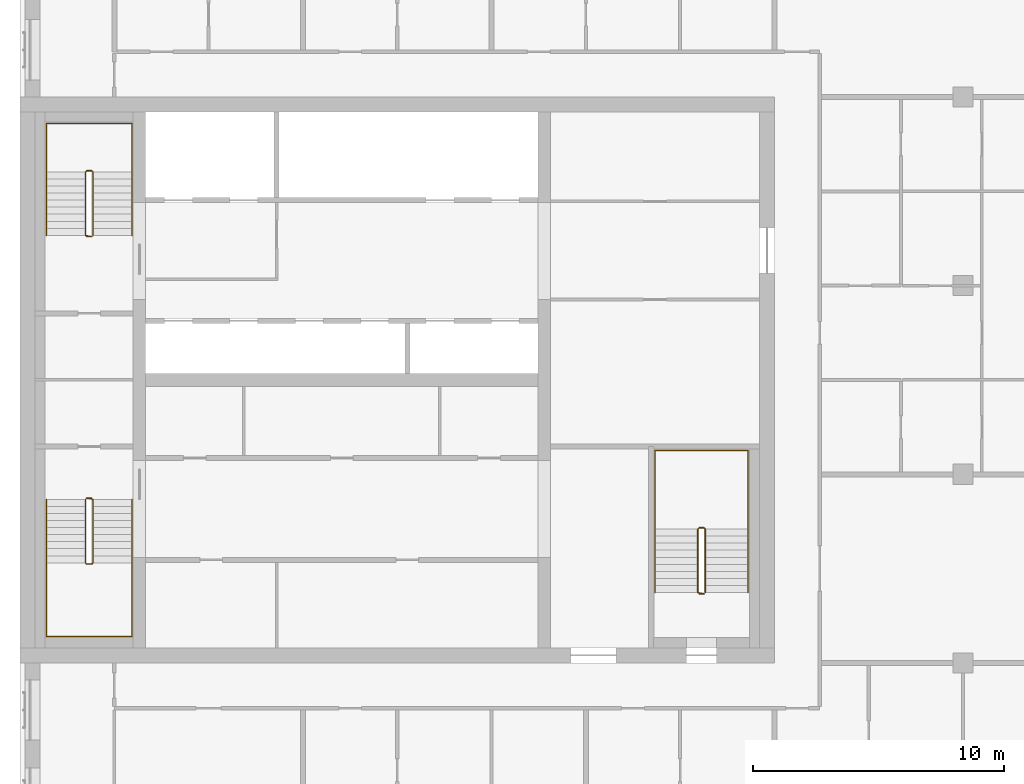
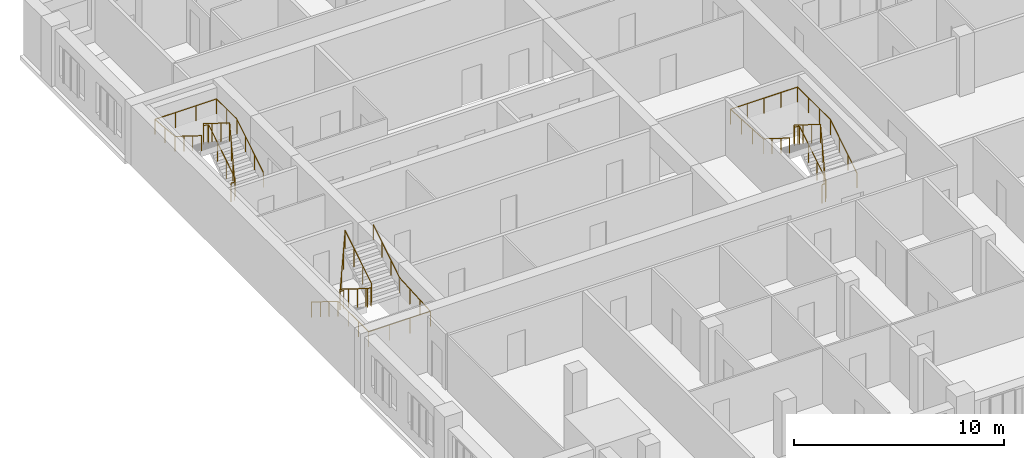
# One storey, part 11 of 11: 6 railings.
"""IFC4 building model written with IfcOpenShell, lengths in metres."""

from ifc_helpers import new_model, si_unit, direction, frame, origin, origin_2d, place, context, subcontext, project, spatial, circle, extrude, material, type_object, element, save


model = new_model("IFC4")

# Units and contexts
model_context = context("Model", 3, precision=1e-05, world=origin(), true_north=direction((0.0, 1.0)))
body_context = subcontext(model_context, "Body", "Model", "MODEL_VIEW")
ifc_project = project(units=[si_unit("LENGTHUNIT", "METRE"), si_unit("AREAUNIT", "SQUARE_METRE"), si_unit("VOLUMEUNIT", "CUBIC_METRE"), si_unit("PLANEANGLEUNIT", "RADIAN"), si_unit("MASSUNIT", "GRAM", prefix="KILO")], contexts=[model_context])

# Site, building, storey
site_placement = place(None, origin())
site = spatial("IfcSite", under=ifc_project, at=site_placement, CompositionType="ELEMENT")
building_placement = place(site_placement, origin())
building = spatial("IfcBuilding", under=site, at=building_placement, Name="Tamorin Gate", CompositionType="ELEMENT")
storey_placement = place(building_placement, frame((0.0, 0.0, 247.699951171875)))
storey = spatial("IfcBuildingStorey", under=building, at=storey_placement, Name="L62", CompositionType="ELEMENT", Elevation=247.699951171875)

# Railings
ifc_material_1 = material(Name="Painted steel balustrade", Category="steel")
railing_type_1 = type_object("IfcRailingType", Name="Stair guard 1100", PredefinedType="GUARDRAIL", material=ifc_material_1)
railing_1_placement = place(storey_placement, frame((32.60009765625, 66.5, 0.175048828125)))
element("IfcRailing", 1, at=railing_1_placement, inside=storey, type_object=railing_type_1, Name="L62 ST1 stair guard 1", PredefinedType="GUARDRAIL", context=body_context, shape_type="SweptSolid", body=[
    extrude(circle(Radius=0.02392578125, at=origin_2d()), frame((0.0, 0.0, 1.076171875), z_axis=(0.0, -0.848007534815, 0.529984170421), x_axis=(1.0, 0.0, 0.0)), (0.0, 0.0, 1.0), 2.9716796875),
    extrude(circle(Radius=0.02392578125, at=origin_2d()), frame((0.0, -2.52001953125, 2.65087890625), z_axis=(0.705375805398, -0.708833529934, 0.0), x_axis=(0.708833529934, 0.705375805398, 0.0)), (0.0, 0.0, 1.0), 0.070556640625),
    extrude(circle(Radius=0.02392578125, at=origin_2d()), frame((0.0498046875, -2.570068359375, 2.65087890625), z_axis=(1.0, 0.0, 0.0), x_axis=(0.0, 1.0, 0.0)), (0.0, 0.0, 1.0), 0.2001953125),
    extrude(circle(Radius=0.02392578125, at=origin_2d()), frame((0.25, -2.570068359375, 2.65087890625), z_axis=(0.263862480399, 0.265155923931, 0.927399011991), x_axis=(-0.708833529934, 0.705375805398, 0.0)), (0.0, 0.0, 1.0), 0.188720703125),
    extrude(circle(Radius=0.02392578125, at=origin_2d()), frame((0.2998046875, -2.52001953125, 2.826171875), z_axis=(0.0, 0.848007534815, 0.529984170421), x_axis=(-1.0, 0.0, 0.0)), (0.0, 0.0, 1.0), 2.9716796875),
    extrude(circle(Radius=0.02392578125, at=origin_2d()), frame((0.2998046875, 0.0, 4.40087890625), z_axis=(-0.071239803756, 0.014261874775, -0.997357252587), x_axis=(-0.196300278283, -0.98054382908, 0.0)), (0.0, 0.0, 1.0), 3.50927734375),
    extrude(circle(Radius=0.02392578125, at=origin_2d()), frame((0.0498046875, 0.050048828125, 0.90087890625), z_axis=(1.0, 0.0, 0.0), x_axis=(0.0, 1.0, 0.0)), (0.0, 0.0, 1.0), 0.2001953125),
    extrude(circle(Radius=0.02099609375, at=origin_2d()), origin(), (0.0, 0.0, 1.0), 1.052001953125),
    extrude(circle(Radius=0.02099609375, at=origin_2d()), frame((0.0, -0.840087890625, 0.52490234375)), (0.0, 0.0, 1.0), 1.052001953125),
    extrude(circle(Radius=0.02099609375, at=origin_2d()), frame((0.0, -1.679931640625, 1.050048828125)), (0.0, 0.0, 1.0), 1.052001953125),
    extrude(circle(Radius=0.02099609375, at=origin_2d()), frame((0.0, -2.52001953125, 1.574951171875)), (0.0, 0.0, 1.0), 1.052001953125),
    extrude(circle(Radius=0.02099609375, at=origin_2d()), frame((0.0498046875, -2.570068359375, 1.574951171875)), (0.0, 0.0, 1.0), 1.052001953125),
    extrude(circle(Radius=0.02099609375, at=origin_2d()), frame((0.25, -2.570068359375, 1.574951171875)), (0.0, 0.0, 1.0), 1.052001953125),
    extrude(circle(Radius=0.02099609375, at=origin_2d()), frame((0.2998046875, -2.52001953125, 1.75)), (0.0, 0.0, 1.0), 1.052001953125),
    extrude(circle(Radius=0.02099609375, at=origin_2d()), frame((0.2998046875, -1.679931640625, 2.27490234375)), (0.0, 0.0, 1.0), 1.052001953125),
    extrude(circle(Radius=0.02099609375, at=origin_2d()), frame((0.2998046875, -0.840087890625, 2.800048828125)), (0.0, 0.0, 1.0), 1.052001953125),
    extrude(circle(Radius=0.02099609375, at=origin_2d()), frame((0.2998046875, 0.0, 3.324951171875)), (0.0, 0.0, 1.0), 1.052001953125),
    extrude(circle(Radius=0.02099609375, at=origin_2d()), frame((0.216552734375, 0.0166015625, 2.158203125)), (0.0, 0.0, 1.0), 1.052001953125),
    extrude(circle(Radius=0.02099609375, at=origin_2d()), frame((0.133056640625, 0.033447265625, 0.99169921875)), (0.0, 0.0, 1.0), 1.052001953125),
    extrude(circle(Radius=0.02099609375, at=origin_2d()), frame((0.0498046875, 0.050048828125, -0.175048828125)), (0.0, 0.0, 1.0), 1.052001953125),
    extrude(circle(Radius=0.02099609375, at=origin_2d()), frame((0.25, 0.050048828125, -0.175048828125)), (0.0, 0.0, 1.0), 1.052001953125),
])
railing_2_placement = place(storey_placement, frame((32.89990234375, 77.0, 0.175048828125)))
element("IfcRailing", 2, at=railing_2_placement, inside=storey, type_object=railing_type_1, Name="L62 ST2 stair guard 1", PredefinedType="GUARDRAIL", context=body_context, shape_type="SweptSolid", body=[
    extrude(circle(Radius=0.02392578125, at=origin_2d()), frame((0.0, 0.0, 1.076171875), z_axis=(0.0, 0.848007534815, 0.529984170421), x_axis=(-1.0, 0.0, 0.0)), (0.0, 0.0, 1.0), 2.9716796875),
    extrude(circle(Radius=0.02392578125, at=origin_2d()), frame((0.0, 2.52001953125, 2.65087890625), z_axis=(-0.705375805398, 0.708833529934, 0.0), x_axis=(-0.708833529934, -0.705375805398, 0.0)), (0.0, 0.0, 1.0), 0.070556640625),
    extrude(circle(Radius=0.02392578125, at=origin_2d()), frame((-0.0498046875, 2.570068359375, 2.65087890625), z_axis=(-1.0, 0.0, 0.0), x_axis=(0.0, -1.0, 0.0)), (0.0, 0.0, 1.0), 0.2001953125),
    extrude(circle(Radius=0.02392578125, at=origin_2d()), frame((-0.25, 2.570068359375, 2.65087890625), z_axis=(-0.263862480399, -0.265155923931, 0.927399011991), x_axis=(0.708833529934, -0.705375805398, 0.0)), (0.0, 0.0, 1.0), 0.188720703125),
    extrude(circle(Radius=0.02392578125, at=origin_2d()), frame((-0.2998046875, 2.52001953125, 2.826171875), z_axis=(0.0, -0.848007534815, 0.529984170421), x_axis=(1.0, 0.0, 0.0)), (0.0, 0.0, 1.0), 2.9716796875),
    extrude(circle(Radius=0.02392578125, at=origin_2d()), frame((-0.2998046875, 0.0, 4.40087890625), z_axis=(0.071239803756, -0.014261874775, -0.997357252587), x_axis=(0.196300278283, 0.98054382908, 0.0)), (0.0, 0.0, 1.0), 3.50927734375),
    extrude(circle(Radius=0.02392578125, at=origin_2d()), frame((-0.0498046875, -0.050048828125, 0.90087890625), z_axis=(-1.0, 0.0, 0.0), x_axis=(0.0, -1.0, 0.0)), (0.0, 0.0, 1.0), 0.2001953125),
    extrude(circle(Radius=0.02099609375, at=origin_2d()), origin(), (0.0, 0.0, 1.0), 1.052001953125),
    extrude(circle(Radius=0.02099609375, at=origin_2d()), frame((0.0, 0.840087890625, 0.52490234375)), (0.0, 0.0, 1.0), 1.052001953125),
    extrude(circle(Radius=0.02099609375, at=origin_2d()), frame((0.0, 1.679931640625, 1.050048828125)), (0.0, 0.0, 1.0), 1.052001953125),
    extrude(circle(Radius=0.02099609375, at=origin_2d()), frame((0.0, 2.52001953125, 1.574951171875)), (0.0, 0.0, 1.0), 1.052001953125),
    extrude(circle(Radius=0.02099609375, at=origin_2d()), frame((-0.0498046875, 2.570068359375, 1.574951171875)), (0.0, 0.0, 1.0), 1.052001953125),
    extrude(circle(Radius=0.02099609375, at=origin_2d()), frame((-0.25, 2.570068359375, 1.574951171875)), (0.0, 0.0, 1.0), 1.052001953125),
    extrude(circle(Radius=0.02099609375, at=origin_2d()), frame((-0.2998046875, 2.52001953125, 1.75)), (0.0, 0.0, 1.0), 1.052001953125),
    extrude(circle(Radius=0.02099609375, at=origin_2d()), frame((-0.2998046875, 1.679931640625, 2.27490234375)), (0.0, 0.0, 1.0), 1.052001953125),
    extrude(circle(Radius=0.02099609375, at=origin_2d()), frame((-0.2998046875, 0.840087890625, 2.800048828125)), (0.0, 0.0, 1.0), 1.052001953125),
    extrude(circle(Radius=0.02099609375, at=origin_2d()), frame((-0.2998046875, 0.0, 3.324951171875)), (0.0, 0.0, 1.0), 1.052001953125),
    extrude(circle(Radius=0.02099609375, at=origin_2d()), frame((-0.216552734375, -0.0166015625, 2.158203125)), (0.0, 0.0, 1.0), 1.052001953125),
    extrude(circle(Radius=0.02099609375, at=origin_2d()), frame((-0.133056640625, -0.033447265625, 0.99169921875)), (0.0, 0.0, 1.0), 1.052001953125),
    extrude(circle(Radius=0.02099609375, at=origin_2d()), frame((-0.0498046875, -0.050048828125, -0.175048828125)), (0.0, 0.0, 1.0), 1.052001953125),
    extrude(circle(Radius=0.02099609375, at=origin_2d()), frame((-0.25, -0.050048828125, -0.175048828125)), (0.0, 0.0, 1.0), 1.052001953125),
])
railing_3_placement = place(storey_placement, frame((57.25, 62.800048828125, 0.175048828125)))
element("IfcRailing", 3, at=railing_3_placement, inside=storey, type_object=railing_type_1, Name="L62 ST3 stair guard 1", PredefinedType="GUARDRAIL", context=body_context, shape_type="SweptSolid", body=[
    extrude(circle(Radius=0.02392578125, at=origin_2d()), frame((0.0, 0.0, 1.076171875), z_axis=(0.0, 0.848007534815, 0.529984170421), x_axis=(-1.0, 0.0, 0.0)), (0.0, 0.0, 1.0), 2.9716796875),
    extrude(circle(Radius=0.02392578125, at=origin_2d()), frame((0.0, 2.52001953125, 2.65087890625), z_axis=(-0.707106781187, 0.707106781187, 0.0), x_axis=(-0.707106781187, -0.707106781187, 0.0)), (0.0, 0.0, 1.0), 0.07080078125),
    extrude(circle(Radius=0.02392578125, at=origin_2d()), frame((-0.050048828125, 2.570068359375, 2.65087890625), z_axis=(-1.0, 0.0, 0.0), x_axis=(0.0, -1.0, 0.0)), (0.0, 0.0, 1.0), 0.199951171875),
    extrude(circle(Radius=0.02392578125, at=origin_2d()), frame((-0.25, 2.570068359375, 2.65087890625), z_axis=(-0.265065253269, -0.265065253269, 0.927081885822), x_axis=(0.707106781187, -0.707106781187, 0.0)), (0.0, 0.0, 1.0), 0.188720703125),
    extrude(circle(Radius=0.02392578125, at=origin_2d()), frame((-0.300048828125, 2.52001953125, 2.826171875), z_axis=(0.0, -0.848007534815, 0.529984170421), x_axis=(1.0, 0.0, 0.0)), (0.0, 0.0, 1.0), 2.9716796875),
    extrude(circle(Radius=0.02392578125, at=origin_2d()), frame((-0.300048828125, 0.0, 4.40087890625), z_axis=(0.071239803756, -0.014261874775, -0.997357252587), x_axis=(0.196300278283, 0.98054382908, 0.0)), (0.0, 0.0, 1.0), 3.50927734375),
    extrude(circle(Radius=0.02392578125, at=origin_2d()), frame((-0.050048828125, -0.050048828125, 0.90087890625), z_axis=(-1.0, 0.0, 0.0), x_axis=(0.0, -1.0, 0.0)), (0.0, 0.0, 1.0), 0.199951171875),
    extrude(circle(Radius=0.02099609375, at=origin_2d()), origin(), (0.0, 0.0, 1.0), 1.052001953125),
    extrude(circle(Radius=0.02099609375, at=origin_2d()), frame((0.0, 0.840087890625, 0.52490234375)), (0.0, 0.0, 1.0), 1.052001953125),
    extrude(circle(Radius=0.02099609375, at=origin_2d()), frame((0.0, 1.679931640625, 1.050048828125)), (0.0, 0.0, 1.0), 1.052001953125),
    extrude(circle(Radius=0.02099609375, at=origin_2d()), frame((0.0, 2.52001953125, 1.574951171875)), (0.0, 0.0, 1.0), 1.052001953125),
    extrude(circle(Radius=0.02099609375, at=origin_2d()), frame((-0.050048828125, 2.570068359375, 1.574951171875)), (0.0, 0.0, 1.0), 1.052001953125),
    extrude(circle(Radius=0.02099609375, at=origin_2d()), frame((-0.25, 2.570068359375, 1.574951171875)), (0.0, 0.0, 1.0), 1.052001953125),
    extrude(circle(Radius=0.02099609375, at=origin_2d()), frame((-0.300048828125, 2.52001953125, 1.75)), (0.0, 0.0, 1.0), 1.052001953125),
    extrude(circle(Radius=0.02099609375, at=origin_2d()), frame((-0.300048828125, 1.679931640625, 2.27490234375)), (0.0, 0.0, 1.0), 1.052001953125),
    extrude(circle(Radius=0.02099609375, at=origin_2d()), frame((-0.300048828125, 0.840087890625, 2.800048828125)), (0.0, 0.0, 1.0), 1.052001953125),
    extrude(circle(Radius=0.02099609375, at=origin_2d()), frame((-0.300048828125, 0.0, 3.324951171875)), (0.0, 0.0, 1.0), 1.052001953125),
    extrude(circle(Radius=0.02099609375, at=origin_2d()), frame((-0.216796875, -0.0166015625, 2.158203125)), (0.0, 0.0, 1.0), 1.052001953125),
    extrude(circle(Radius=0.02099609375, at=origin_2d()), frame((-0.13330078125, -0.033447265625, 0.99169921875)), (0.0, 0.0, 1.0), 1.052001953125),
    extrude(circle(Radius=0.02099609375, at=origin_2d()), frame((-0.050048828125, -0.050048828125, -0.175048828125)), (0.0, 0.0, 1.0), 1.052001953125),
    extrude(circle(Radius=0.02099609375, at=origin_2d()), frame((-0.25, -0.050048828125, -0.175048828125)), (0.0, 0.0, 1.0), 1.052001953125),
])
ifc_material_2 = material(Name="Painted steel handrail", Category="steel")
railing_type_2 = type_object("IfcRailingType", Name="Stair handrail 900", PredefinedType="HANDRAIL", material=ifc_material_2)
railing_4_placement = place(storey_placement, frame((31.050048828125, 66.5, 0.175048828125)))
element("IfcRailing", 4, at=railing_4_placement, inside=storey, type_object=railing_type_2, Name="L62 ST1 stair handrail 1", PredefinedType="HANDRAIL", context=body_context, shape_type="SweptSolid", body=[
    extrude(circle(Radius=0.02392578125, at=origin_2d()), frame((0.0, 0.0, 0.8759765625), z_axis=(0.0, -0.848007534815, 0.529984170421), x_axis=(1.0, 0.0, 0.0)), (0.0, 0.0, 1.0), 2.9716796875),
    extrude(circle(Radius=0.02392578125, at=origin_2d()), frame((0.0, -2.52001953125, 2.45068359375), z_axis=(0.0, -1.0, 0.0), x_axis=(1.0, 0.0, 0.0)), (0.0, 0.0, 1.0), 2.929931640625),
    extrude(circle(Radius=0.02392578125, at=origin_2d()), frame((0.0, -5.449951171875, 2.45068359375), z_axis=(1.0, 0.0, 0.0), x_axis=(0.0, 1.0, 0.0)), (0.0, 0.0, 1.0), 3.39990234375),
    extrude(circle(Radius=0.02392578125, at=origin_2d()), frame((3.39990234375, -5.449951171875, 2.45068359375), z_axis=(0.0, 0.998220029962, 0.0596386769), x_axis=(-1.0, 0.0, 0.0)), (0.0, 0.0, 1.0), 2.93505859375),
    extrude(circle(Radius=0.02392578125, at=origin_2d()), frame((3.39990234375, -2.52001953125, 2.6259765625), z_axis=(0.0, 0.848007534815, 0.529984170421), x_axis=(-1.0, 0.0, 0.0)), (0.0, 0.0, 1.0), 2.9716796875),
    extrude(circle(Radius=0.02099609375, at=origin_2d()), origin(), (0.0, 0.0, 1.0), 0.851806640625),
    extrude(circle(Radius=0.02099609375, at=origin_2d()), frame((0.0, -0.840087890625, 0.52490234375)), (0.0, 0.0, 1.0), 0.851806640625),
    extrude(circle(Radius=0.02099609375, at=origin_2d()), frame((0.0, -1.679931640625, 1.050048828125)), (0.0, 0.0, 1.0), 0.851806640625),
    extrude(circle(Radius=0.02099609375, at=origin_2d()), frame((0.0, -2.52001953125, 1.574951171875)), (0.0, 0.0, 1.0), 0.851806640625),
    extrude(circle(Radius=0.02099609375, at=origin_2d()), frame((0.0, -3.49658203125, 1.574951171875)), (0.0, 0.0, 1.0), 0.851806640625),
    extrude(circle(Radius=0.02099609375, at=origin_2d()), frame((0.0, -4.473388671875, 1.574951171875)), (0.0, 0.0, 1.0), 0.851806640625),
    extrude(circle(Radius=0.02099609375, at=origin_2d()), frame((0.0, -5.449951171875, 1.574951171875)), (0.0, 0.0, 1.0), 0.851806640625),
    extrude(circle(Radius=0.02099609375, at=origin_2d()), frame((1.13330078125, -5.449951171875, 1.574951171875)), (0.0, 0.0, 1.0), 0.851806640625),
    extrude(circle(Radius=0.02099609375, at=origin_2d()), frame((2.2666015625, -5.449951171875, 1.574951171875)), (0.0, 0.0, 1.0), 0.851806640625),
    extrude(circle(Radius=0.02099609375, at=origin_2d()), frame((3.39990234375, -5.449951171875, 1.574951171875)), (0.0, 0.0, 1.0), 0.851806640625),
    extrude(circle(Radius=0.02099609375, at=origin_2d()), frame((3.39990234375, -4.473388671875, 1.63330078125)), (0.0, 0.0, 1.0), 0.851806640625),
    extrude(circle(Radius=0.02099609375, at=origin_2d()), frame((3.39990234375, -3.49658203125, 1.691650390625)), (0.0, 0.0, 1.0), 0.851806640625),
    extrude(circle(Radius=0.02099609375, at=origin_2d()), frame((3.39990234375, -2.52001953125, 1.75)), (0.0, 0.0, 1.0), 0.851806640625),
    extrude(circle(Radius=0.02099609375, at=origin_2d()), frame((3.39990234375, -1.679931640625, 2.27490234375)), (0.0, 0.0, 1.0), 0.851806640625),
    extrude(circle(Radius=0.02099609375, at=origin_2d()), frame((3.39990234375, -0.840087890625, 2.800048828125)), (0.0, 0.0, 1.0), 0.851806640625),
    extrude(circle(Radius=0.02099609375, at=origin_2d()), frame((3.39990234375, 0.0, 3.324951171875)), (0.0, 0.0, 1.0), 0.851806640625),
])
railing_5_placement = place(storey_placement, frame((34.449951171875, 77.0, 0.175048828125)))
element("IfcRailing", 5, at=railing_5_placement, inside=storey, type_object=railing_type_2, Name="L62 ST2 stair handrail 1", PredefinedType="HANDRAIL", context=body_context, shape_type="SweptSolid", body=[
    extrude(circle(Radius=0.02392578125, at=origin_2d()), frame((0.0, 0.0, 0.8759765625), z_axis=(0.0, 0.848007534815, 0.529984170421), x_axis=(-1.0, 0.0, 0.0)), (0.0, 0.0, 1.0), 2.9716796875),
    extrude(circle(Radius=0.02392578125, at=origin_2d()), frame((0.0, 2.52001953125, 2.45068359375), z_axis=(0.0, 1.0, 0.0), x_axis=(-1.0, 0.0, 0.0)), (0.0, 0.0, 1.0), 1.929931640625),
    extrude(circle(Radius=0.02392578125, at=origin_2d()), frame((0.0, 4.449951171875, 2.45068359375), z_axis=(-1.0, 0.0, 0.0), x_axis=(0.0, -1.0, 0.0)), (0.0, 0.0, 1.0), 3.39990234375),
    extrude(circle(Radius=0.02392578125, at=origin_2d()), frame((-3.39990234375, 4.449951171875, 2.45068359375), z_axis=(0.0, -0.995911773435, 0.090331276604), x_axis=(1.0, 0.0, 0.0)), (0.0, 0.0, 1.0), 1.937744140625),
    extrude(circle(Radius=0.02392578125, at=origin_2d()), frame((-3.39990234375, 2.52001953125, 2.6259765625), z_axis=(0.0, -0.848007534815, 0.529984170421), x_axis=(1.0, 0.0, 0.0)), (0.0, 0.0, 1.0), 2.9716796875),
    extrude(circle(Radius=0.02099609375, at=origin_2d()), origin(), (0.0, 0.0, 1.0), 0.851806640625),
    extrude(circle(Radius=0.02099609375, at=origin_2d()), frame((0.0, 0.840087890625, 0.52490234375)), (0.0, 0.0, 1.0), 0.851806640625),
    extrude(circle(Radius=0.02099609375, at=origin_2d()), frame((0.0, 1.679931640625, 1.050048828125)), (0.0, 0.0, 1.0), 0.851806640625),
    extrude(circle(Radius=0.02099609375, at=origin_2d()), frame((0.0, 2.52001953125, 1.574951171875)), (0.0, 0.0, 1.0), 0.851806640625),
    extrude(circle(Radius=0.02099609375, at=origin_2d()), frame((0.0, 3.48486328125, 1.574951171875)), (0.0, 0.0, 1.0), 0.851806640625),
    extrude(circle(Radius=0.02099609375, at=origin_2d()), frame((0.0, 4.449951171875, 1.574951171875)), (0.0, 0.0, 1.0), 0.851806640625),
    extrude(circle(Radius=0.02099609375, at=origin_2d()), frame((-1.13330078125, 4.449951171875, 1.574951171875)), (0.0, 0.0, 1.0), 0.851806640625),
    extrude(circle(Radius=0.02099609375, at=origin_2d()), frame((-2.2666015625, 4.449951171875, 1.574951171875)), (0.0, 0.0, 1.0), 0.851806640625),
    extrude(circle(Radius=0.02099609375, at=origin_2d()), frame((-3.39990234375, 4.449951171875, 1.574951171875)), (0.0, 0.0, 1.0), 0.851806640625),
    extrude(circle(Radius=0.02099609375, at=origin_2d()), frame((-3.39990234375, 3.48486328125, 1.66259765625)), (0.0, 0.0, 1.0), 0.851806640625),
    extrude(circle(Radius=0.02099609375, at=origin_2d()), frame((-3.39990234375, 2.52001953125, 1.75)), (0.0, 0.0, 1.0), 0.851806640625),
    extrude(circle(Radius=0.02099609375, at=origin_2d()), frame((-3.39990234375, 1.679931640625, 2.27490234375)), (0.0, 0.0, 1.0), 0.851806640625),
    extrude(circle(Radius=0.02099609375, at=origin_2d()), frame((-3.39990234375, 0.840087890625, 2.800048828125)), (0.0, 0.0, 1.0), 0.851806640625),
    extrude(circle(Radius=0.02099609375, at=origin_2d()), frame((-3.39990234375, 0.0, 3.324951171875)), (0.0, 0.0, 1.0), 0.851806640625),
])
railing_6_placement = place(storey_placement, frame((58.949951171875, 62.800048828125, 0.175048828125)))
element("IfcRailing", 6, at=railing_6_placement, inside=storey, type_object=railing_type_2, Name="L62 ST3 stair handrail 1", PredefinedType="HANDRAIL", context=body_context, shape_type="SweptSolid", body=[
    extrude(circle(Radius=0.02392578125, at=origin_2d()), frame((0.0, 0.0, 0.8759765625), z_axis=(0.0, 0.848007534815, 0.529984170421), x_axis=(-1.0, 0.0, 0.0)), (0.0, 0.0, 1.0), 2.9716796875),
    extrude(circle(Radius=0.02392578125, at=origin_2d()), frame((0.0, 2.52001953125, 2.45068359375), z_axis=(0.0, 1.0, 0.0), x_axis=(-1.0, 0.0, 0.0)), (0.0, 0.0, 1.0), 3.1298828125),
    extrude(circle(Radius=0.02392578125, at=origin_2d()), frame((0.0, 5.64990234375, 2.45068359375), z_axis=(-1.0, 0.0, 0.0), x_axis=(0.0, -1.0, 0.0)), (0.0, 0.0, 1.0), 3.699951171875),
    extrude(circle(Radius=0.02392578125, at=origin_2d()), frame((-3.699951171875, 5.64990234375, 2.45068359375), z_axis=(0.0, -0.998439675676, 0.055840970941), x_axis=(1.0, 0.0, 0.0)), (0.0, 0.0, 1.0), 3.134765625),
    extrude(circle(Radius=0.02392578125, at=origin_2d()), frame((-3.699951171875, 2.52001953125, 2.6259765625), z_axis=(0.0, -0.848007534815, 0.529984170421), x_axis=(1.0, 0.0, 0.0)), (0.0, 0.0, 1.0), 2.9716796875),
    extrude(circle(Radius=0.02099609375, at=origin_2d()), origin(), (0.0, 0.0, 1.0), 0.851806640625),
    extrude(circle(Radius=0.02099609375, at=origin_2d()), frame((0.0, 0.840087890625, 0.52490234375)), (0.0, 0.0, 1.0), 0.851806640625),
    extrude(circle(Radius=0.02099609375, at=origin_2d()), frame((0.0, 1.679931640625, 1.050048828125)), (0.0, 0.0, 1.0), 0.851806640625),
    extrude(circle(Radius=0.02099609375, at=origin_2d()), frame((0.0, 2.52001953125, 1.574951171875)), (0.0, 0.0, 1.0), 0.851806640625),
    extrude(circle(Radius=0.02099609375, at=origin_2d()), frame((0.0, 3.563232421875, 1.574951171875)), (0.0, 0.0, 1.0), 0.851806640625),
    extrude(circle(Radius=0.02099609375, at=origin_2d()), frame((0.0, 4.606689453125, 1.574951171875)), (0.0, 0.0, 1.0), 0.851806640625),
    extrude(circle(Radius=0.02099609375, at=origin_2d()), frame((0.0, 5.64990234375, 1.574951171875)), (0.0, 0.0, 1.0), 0.851806640625),
    extrude(circle(Radius=0.02099609375, at=origin_2d()), frame((-0.925048828125, 5.64990234375, 1.574951171875)), (0.0, 0.0, 1.0), 0.851806640625),
    extrude(circle(Radius=0.02099609375, at=origin_2d()), frame((-1.85009765625, 5.64990234375, 1.574951171875)), (0.0, 0.0, 1.0), 0.851806640625),
    extrude(circle(Radius=0.02099609375, at=origin_2d()), frame((-2.77490234375, 5.64990234375, 1.574951171875)), (0.0, 0.0, 1.0), 0.851806640625),
    extrude(circle(Radius=0.02099609375, at=origin_2d()), frame((-3.699951171875, 5.64990234375, 1.574951171875)), (0.0, 0.0, 1.0), 0.851806640625),
    extrude(circle(Radius=0.02099609375, at=origin_2d()), frame((-3.699951171875, 4.606689453125, 1.63330078125)), (0.0, 0.0, 1.0), 0.851806640625),
    extrude(circle(Radius=0.02099609375, at=origin_2d()), frame((-3.699951171875, 3.563232421875, 1.691650390625)), (0.0, 0.0, 1.0), 0.851806640625),
    extrude(circle(Radius=0.02099609375, at=origin_2d()), frame((-3.699951171875, 2.52001953125, 1.75)), (0.0, 0.0, 1.0), 0.851806640625),
    extrude(circle(Radius=0.02099609375, at=origin_2d()), frame((-3.699951171875, 1.679931640625, 2.27490234375)), (0.0, 0.0, 1.0), 0.851806640625),
    extrude(circle(Radius=0.02099609375, at=origin_2d()), frame((-3.699951171875, 0.840087890625, 2.800048828125)), (0.0, 0.0, 1.0), 0.851806640625),
    extrude(circle(Radius=0.02099609375, at=origin_2d()), frame((-3.699951171875, 0.0, 3.324951171875)), (0.0, 0.0, 1.0), 0.851806640625),
])

save(model, "model.ifc")
